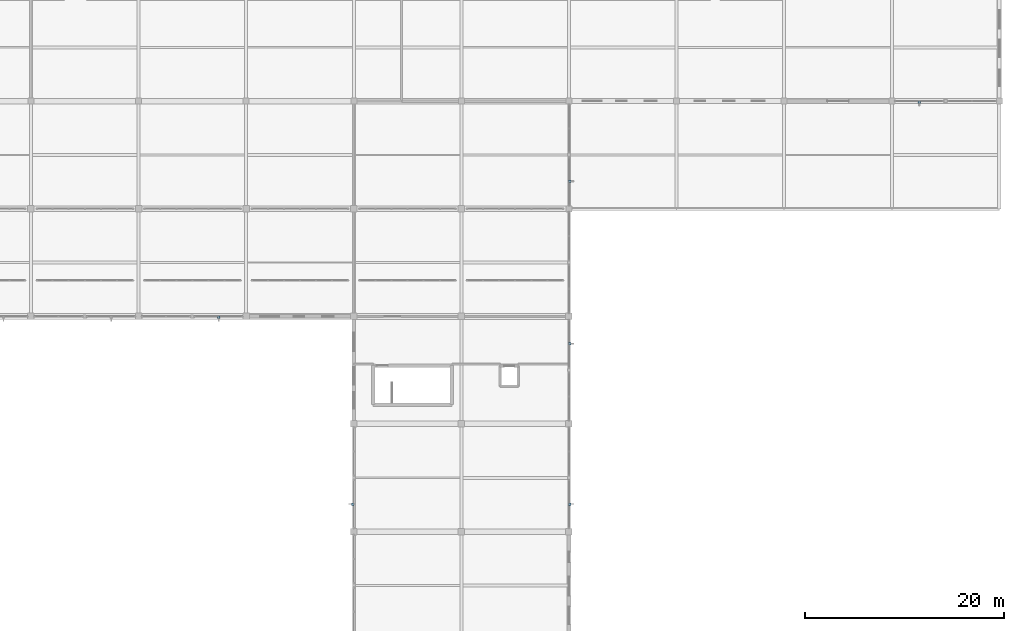
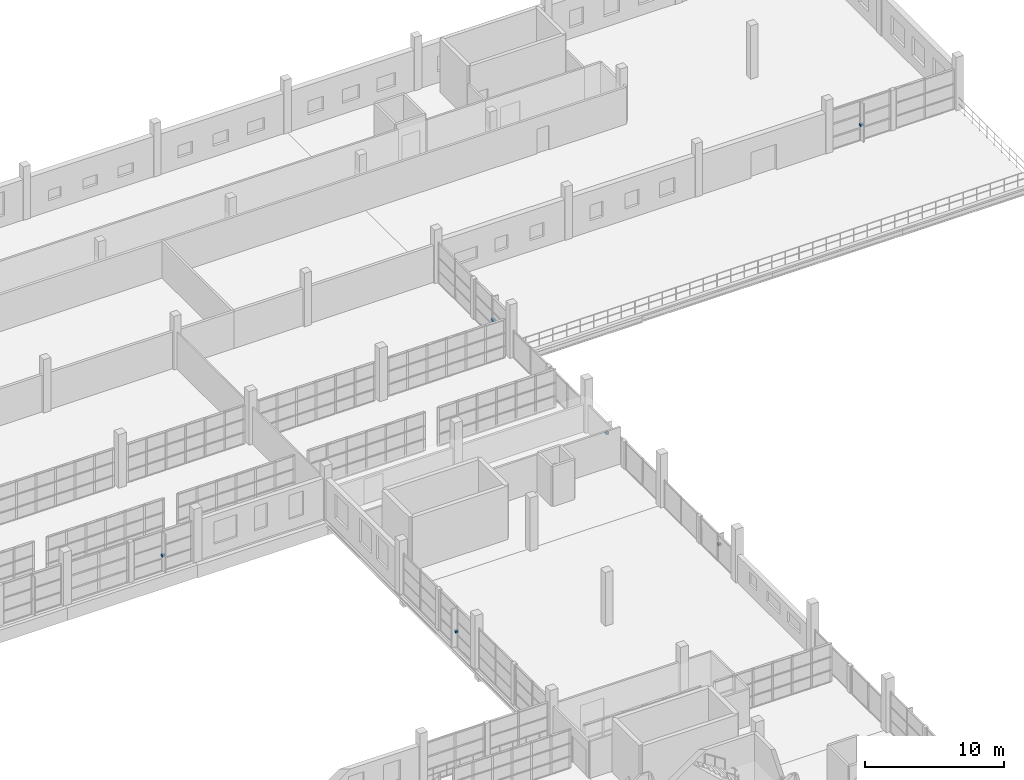
# One storey, part 127 of 142: 6 discrete accessories.
"""IFC4 building model written with IfcOpenShell, lengths in metres."""

from ifc_helpers import new_model, si_unit, direction, frame, origin, origin_2d, place, context, subcontext, project, spatial, rectangle, extrude, material, type_object, element, save


model = new_model("IFC4")

# Units and contexts
model_context = context("Model", 3, precision=1e-05, world=origin(), true_north=direction((0.0, 1.0)))
body_context = subcontext(model_context, "Body", "Model", "MODEL_VIEW")
ifc_project = project(units=[si_unit("LENGTHUNIT", "METRE"), si_unit("AREAUNIT", "SQUARE_METRE"), si_unit("VOLUMEUNIT", "CUBIC_METRE"), si_unit("PLANEANGLEUNIT", "RADIAN"), si_unit("MASSUNIT", "GRAM", prefix="KILO")], contexts=[model_context])

# Site, building, storey
site_placement = place(None, origin())
site = spatial("IfcSite", under=ifc_project, at=site_placement, CompositionType="ELEMENT")
building_placement = place(site_placement, origin())
building = spatial("IfcBuilding", under=site, at=building_placement, Name="Zwinboog Wholesale Market", CompositionType="ELEMENT")
storey_placement = place(building_placement, frame((0.0, 0.0, 5.39990234375)))
storey = spatial("IfcBuildingStorey", under=building, at=storey_placement, Name="L01", CompositionType="ELEMENT", Elevation=5.39990234375)

# Discrete accessories
ifc_material = material(Name="Steel S355", Category="steel")
discrete_accessory_type = type_object("IfcDiscreteAccessoryType", Name="ACC-BRK-S355", PredefinedType="BRACKET", material=ifc_material)
for number, where, z_axis, x_axis, name in (
    (1, (137.639892578125, 86.324951171875, 1.31005859375), (0.0, 0.0, 1.0), (1.0, 0.0, 0.0), "BK-01 (ACC-FBRK-036)"),
    (2, (151.110107421875, 67.56005859375, 1.31005859375), (0.0, 0.0, 1.0), (1.0, 0.0, 0.0), "BK-01 (ACC-FBRK-038)"),
    (3, (172.889892578125, 67.56005859375, 1.31005859375), (0.0, 0.0, 1.0), (1.0, 0.0, 0.0), "BK-01 (ACC-FBRK-040)"),
    (4, (172.875, 83.639892578125, 1.31005859375), (0.0, 0.0, 1.0), (1.0, 0.0, 0.0), "BK-01 (ACC-FBRK-041)"),
    (5, (172.889892578125, 99.947509765625, 1.31005859375), (0.0, 0.0, 1.0), (1.0, 0.0, 0.0), "BK-01 (ACC-FBRK-042)"),
    (6, (207.947509765625, 107.909912109375, 1.31005859375), (0.0, 0.0, 1.0), (1.0, 0.0, 0.0), "BK-01 (ACC-FBRK-044)"),
):
    element("IfcDiscreteAccessory", number, at=place(storey_placement, frame(where, z_axis=z_axis, x_axis=x_axis)), inside=storey, type_object=discrete_accessory_type, Name=name, PredefinedType="BRACKET", context=body_context, shape_type="SweptSolid", body=[
        extrude(rectangle(XDim=0.239990234375, YDim=0.239990234375, at=origin_2d()), origin(), (0.0, 0.0, 1.0), 0.179931640625),
    ])

save(model, "model.ifc")
